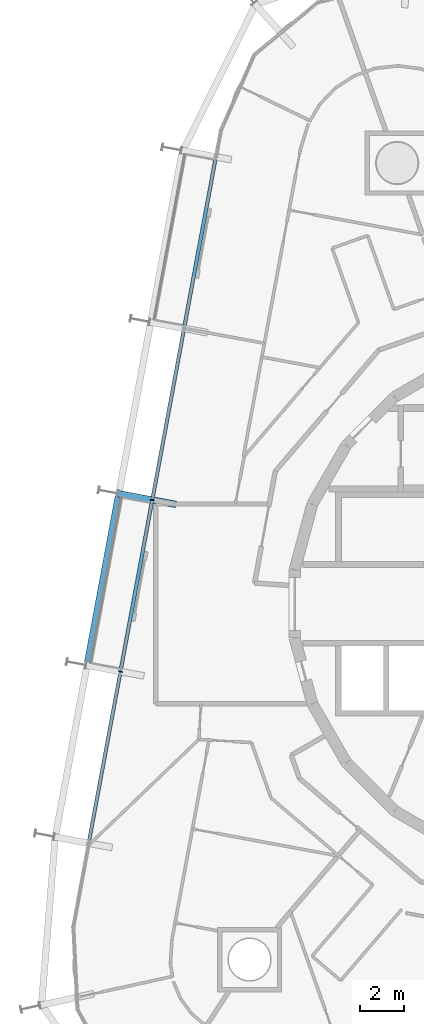
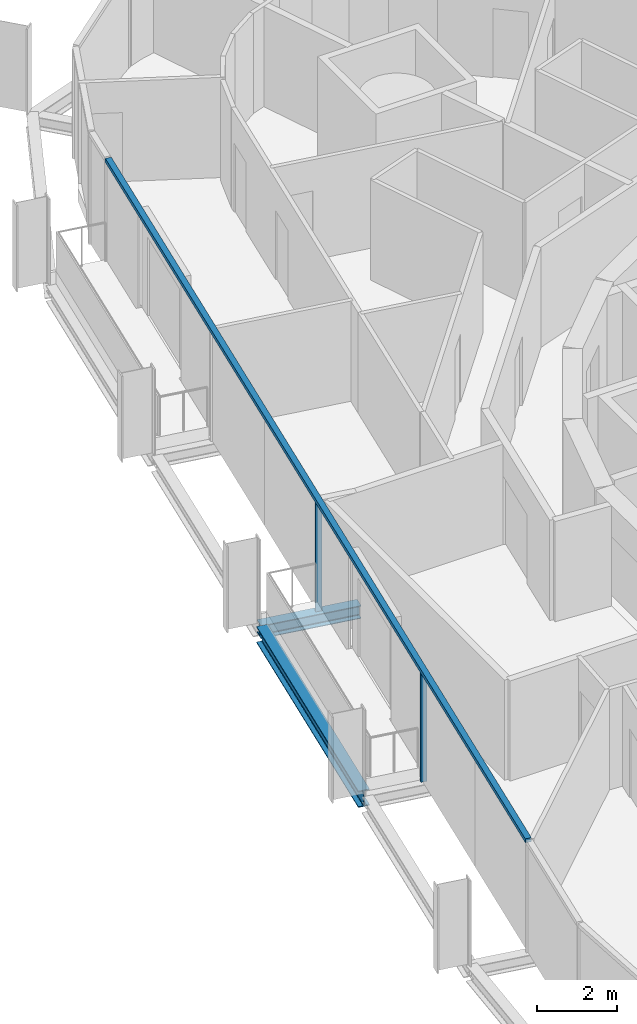
# One storey, part 4 of 17: 3 members, 2 beams, 1 element without a shape of its own.
"""IFC4 building model written with IfcOpenShell, lengths in metres."""

from ifc_helpers import new_model, si_unit, direction, frame, origin, origin_2d, place, context, subcontext, project, spatial, rectangle, i_section, extrude, material, layer, layer_set, material_profile, profile_set, type_object, element, aggregate, save


model = new_model("IFC4")

# Units and contexts
model_context = context("Model", 3, precision=1e-05, world=origin(), true_north=direction((0.0, 1.0)))
body_context = subcontext(model_context, "Body", "Model", "MODEL_VIEW")
ifc_project = project(units=[si_unit("LENGTHUNIT", "METRE"), si_unit("AREAUNIT", "SQUARE_METRE"), si_unit("VOLUMEUNIT", "CUBIC_METRE"), si_unit("PLANEANGLEUNIT", "RADIAN"), si_unit("MASSUNIT", "GRAM", prefix="KILO")], contexts=[model_context])

# Site, building, storey
site_placement = place(None, origin())
site = spatial("IfcSite", under=ifc_project, at=site_placement, CompositionType="ELEMENT")
building_placement = place(site_placement, origin())
building = spatial("IfcBuilding", under=site, at=building_placement, Name="Spindle Arch Residences", CompositionType="ELEMENT")
storey_placement = place(building_placement, frame((0.0, 0.0, 179.699951171875)))
storey = spatial("IfcBuildingStorey", under=building, at=storey_placement, Name="L45", CompositionType="ELEMENT", Elevation=179.699951171875)

# Curtain wall, members
ifc_material_1 = material(Name="Aluminium bronze unitised frame with tinted glass", Category="aluminium")
ifc_layer = layer(ifc_material_1, 0.159912109375)
ifc_layer_set = layer_set([ifc_layer], Name="CW-C typical residential unitised wall")
curtain_wall_type = type_object("IfcCurtainWallType", Name="CW-C typical residential unitised wall", PredefinedType="NOTDEFINED", material=ifc_layer_set)
curtain_wall_placement = place(storey_placement, origin())
curtain_wall = element("IfcCurtainWall", 1, at=curtain_wall_placement, inside=storey, type_object=curtain_wall_type, Name="CW-C L45 run 4", PredefinedType="NOTDEFINED")
ifc_material_2 = material(Name="Aluminium bronze anodised mullion", Category="aluminium")
ifc_material_profile_1 = material_profile(ifc_material_2, rectangle(XDim=0.159912109375, YDim=0.06005859375, at=origin_2d()), Name="MU 60x160")
ifc_profile_set_1 = profile_set([ifc_material_profile_1], Name="Aluminium bronze anodised mullion")
member_type_1 = type_object("IfcMemberType", Name="Bronze mullion 60x160", PredefinedType="MULLION", material=ifc_profile_set_1)
member_1_placement = place(storey_placement, frame((-18.0625, 4.679931640625, -0.3798828125), z_axis=(0.0, 0.0, 1.0), x_axis=(0.983254907564, -0.182235525492, 0.0)))
member_1 = element("IfcMember", 2, at=member_1_placement, type_object=member_type_1, Name="CW-C mullion 14", PredefinedType="MULLION", context=body_context, shape_type="SweptSolid", body=[
    extrude(rectangle(XDim=0.159912109375, YDim=0.06005859375, at=origin_2d()), origin(), (0.0, 0.0, 1.0), 3.309814453125),
])
member_2_placement = place(storey_placement, frame((-19.494873046875, -3.04833984375, -0.3798828125), z_axis=(0.0, 0.0, 1.0), x_axis=(0.983254907564, -0.182235525492, 0.0)))
member_2 = element("IfcMember", 3, at=member_2_placement, type_object=member_type_1, Name="CW-C mullion 15", PredefinedType="MULLION", context=body_context, shape_type="SweptSolid", body=[
    extrude(rectangle(XDim=0.159912109375, YDim=0.06005859375, at=origin_2d()), origin(), (0.0, 0.0, 1.0), 3.309814453125),
])
ifc_material_3 = material(Name="Aluminium bronze anodised transom", Category="aluminium")
ifc_material_profile_2 = material_profile(ifc_material_3, rectangle(XDim=0.159912109375, YDim=0.1201171875, at=origin_2d()), Name="TR 120x160")
ifc_profile_set_2 = profile_set([ifc_material_profile_2], Name="Aluminium bronze anodised transom")
member_type_2 = type_object("IfcMemberType", Name="Bronze transom 120x160", PredefinedType="USERDEFINED", material=ifc_profile_set_2)
member_3_placement = place(storey_placement, frame((-15.203125, 20.107421875, 2.989990234375), z_axis=(-0.182240536166, -0.983253978877, 0.0), x_axis=(0.983253978877, -0.182240536166, 0.0)))
member_3 = element("IfcMember", 4, at=member_3_placement, type_object=member_type_2, Name="CW-C transom 00", ObjectType="TRANSOM", PredefinedType="USERDEFINED", context=body_context, shape_type="SweptSolid", body=[
    extrude(rectangle(XDim=0.159912109375, YDim=0.1201171875, at=origin_2d()), origin(), (0.0, 0.0, 1.0), 31.380126953125),
])
aggregate(curtain_wall, [member_3, member_1, member_2])

# Beams
ifc_material_4 = material(Name="Steel S460ML, intumescent coating R 120", Category="steel")
ifc_material_profile_3 = material_profile(ifc_material_4, i_section(OverallWidth=0.300048828125, OverallDepth=0.5, WebThickness=0.014404296875, FlangeThickness=0.028076171875, FilletRadius=0.027099609375, at=origin_2d()), Name="HEB 500")
ifc_profile_set_3 = profile_set([ifc_material_profile_3], Name="Steel S460ML, intumescent coating R 120")
beam_type_1 = type_object("IfcBeamType", Name="Exoskeleton edge beam HEB 500", PredefinedType="BEAM", material=ifc_profile_set_3)
beam_1_placement = place(storey_placement, frame((-19.590576171875, 4.8310546875, -0.6298828125), z_axis=(-0.182234195466, -0.983255154069, 0.0), x_axis=(0.983255154069, -0.182234195466, 0.0)))
element("IfcBeam", 5, at=beam_1_placement, inside=storey, type_object=beam_type_1, Name="Exoskeleton edge beam 15", PredefinedType="BEAM", context=body_context, shape_type="SweptSolid", body=[
    extrude(i_section(OverallWidth=0.300048828125, OverallDepth=0.5, WebThickness=0.014404296875, FlangeThickness=0.028076171875, FilletRadius=0.027099609375, at=origin_2d()), origin(), (0.0, 0.0, 1.0), 7.60009765625),
])
ifc_material_5 = material(Name="Steel S460ML, intumescent coating R 120", Category="steel")
ifc_material_profile_4 = material_profile(ifc_material_5, i_section(OverallWidth=0.300048828125, OverallDepth=0.389892578125, WebThickness=0.010986328125, FlangeThickness=0.01904296875, FilletRadius=0.027099609375, at=origin_2d()), Name="HEA 400")
ifc_profile_set_4 = profile_set([ifc_material_profile_4], Name="Steel S460ML, intumescent coating R 120")
beam_type_2 = type_object("IfcBeamType", Name="Floor outrigger HEA 400", PredefinedType="BEAM", material=ifc_profile_set_4)
beam_2_placement = place(storey_placement, frame((-19.606201171875, 4.966064453125, -0.574951171875), z_axis=(0.98325694826, -0.182224514537, 0.0), x_axis=(0.182224514537, 0.98325694826, 0.0)))
element("IfcBeam", 6, at=beam_2_placement, inside=storey, type_object=beam_type_2, Name="Floor outrigger 15", PredefinedType="BEAM", context=body_context, shape_type="SweptSolid", body=[
    extrude(i_section(OverallWidth=0.300048828125, OverallDepth=0.389892578125, WebThickness=0.010986328125, FlangeThickness=0.01904296875, FilletRadius=0.027099609375, at=origin_2d()), origin(), (0.0, 0.0, 1.0), 2.650146484375),
])

save(model, "model.ifc")
